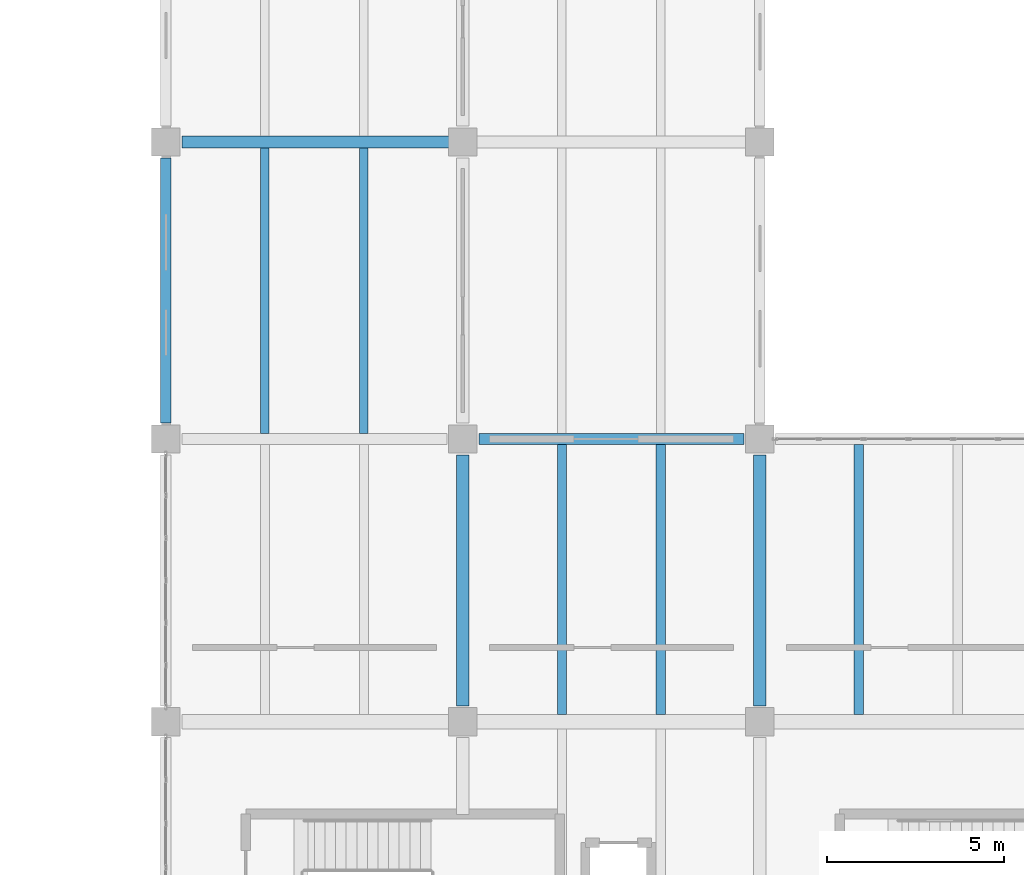
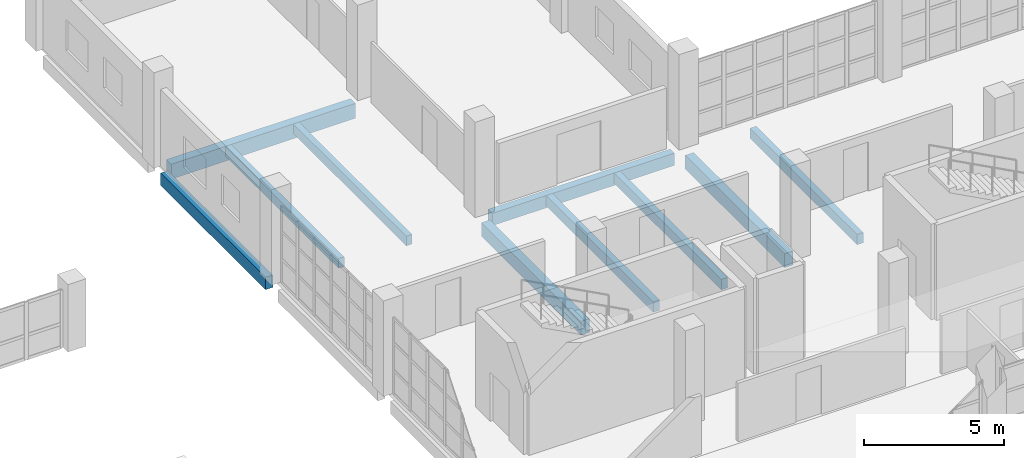
# One storey, part 22 of 177: 10 beams.
"""IFC4 building model written with IfcOpenShell, lengths in metres."""

from ifc_helpers import new_model, si_unit, direction, frame, origin, origin_2d, place, context, subcontext, project, spatial, rectangle, extrude, material, material_profile, profile_set, type_object, element, save


model = new_model("IFC4")

# Units and contexts
model_context = context("Model", 3, precision=1e-05, world=origin(), true_north=direction((0.0, 1.0)))
body_context = subcontext(model_context, "Body", "Model", "MODEL_VIEW")
ifc_project = project(units=[si_unit("LENGTHUNIT", "METRE"), si_unit("AREAUNIT", "SQUARE_METRE"), si_unit("VOLUMEUNIT", "CUBIC_METRE"), si_unit("PLANEANGLEUNIT", "RADIAN"), si_unit("MASSUNIT", "GRAM", prefix="KILO"), si_unit("THERMODYNAMICTEMPERATUREUNIT", "KELVIN"), si_unit("POWERUNIT", "WATT")], contexts=[model_context])

# Site, building, storey
site_placement = place(None, origin())
site = spatial("IfcSite", under=ifc_project, at=site_placement, CompositionType="ELEMENT")
building_placement = place(site_placement, origin())
building = spatial("IfcBuilding", under=site, at=building_placement, Name="Mavoryth Pier Ferry Terminal", CompositionType="ELEMENT")
storey_placement = place(building_placement, frame((0.0, 0.0, 5.43994140625)))
storey = spatial("IfcBuildingStorey", under=building, at=storey_placement, Name="L01", CompositionType="ELEMENT", Elevation=5.43994140625)

# Beams
ifc_material = material(Name="Concrete C35/45", Category="concrete")
ifc_material_profile_1 = material_profile(ifc_material, rectangle(XDim=0.35009765625, YDim=0.60009765625, at=origin_2d()), Name="RC 350x600", Category="concrete")
ifc_profile_set_1 = profile_set([ifc_material_profile_1], Name="Concrete C35/45 - RC 350x600")
beam_type_1 = type_object("IfcBeamType", Name="Girder-RC-350x600", PredefinedType="BEAM", material=ifc_profile_set_1)
for number, where, z_axis, x_axis, name in (
    (1, (50.39990234375, 14.449951171875, -0.56005859375), (0.0, 1.0, 0.0), (-1.0, 0.0, 0.0), "Beam B01-BG08-0539"),
    (2, (58.800048828125, 14.449951171875, -0.56005859375), (0.0, 1.0, 0.0), (-1.0, 0.0, 0.0), "Beam B01-BG08-0542"),
):
    element("IfcBeam", number, at=place(storey_placement, frame(where, z_axis=z_axis, x_axis=x_axis)), inside=storey, type_object=beam_type_1, Name=name, PredefinedType="BEAM", context=body_context, shape_type="SweptSolid", body=[
        extrude(rectangle(XDim=0.35009765625, YDim=0.60009765625, at=origin_2d()), origin(), (0.0, 0.0, 1.0), 7.10009765625),
    ])
ifc_material_profile_2 = material_profile(ifc_material, rectangle(XDim=0.35009765625, YDim=0.64990234375, at=origin_2d()), Name="RC 350x650", Category="concrete")
ifc_profile_set_2 = profile_set([ifc_material_profile_2], Name="Concrete C35/45 - RC 350x650")
beam_type_2 = type_object("IfcBeamType", Name="Girder-RC-350x650", PredefinedType="BEAM", material=ifc_profile_set_2)
beam_placement = place(storey_placement, frame((42.449951171875, 30.39990234375, -0.5849609375), z_axis=(1.0, 0.0, 0.0), x_axis=(0.0, 1.0, 0.0)))
element("IfcBeam", 3, at=beam_placement, inside=storey, type_object=beam_type_2, Name="Beam B01-BG07-0587", PredefinedType="BEAM", context=body_context, shape_type="SweptSolid", body=[
    extrude(rectangle(XDim=0.35009765625, YDim=0.64990234375, at=origin_2d()), origin(), (0.0, 0.0, 1.0), 7.60009765625),
])
ifc_material_profile_3 = material_profile(ifc_material, rectangle(XDim=0.239990234375, YDim=0.419921875, at=origin_2d()), Name="RC 240x420", Category="concrete")
ifc_profile_set_3 = profile_set([ifc_material_profile_3], Name="Concrete C35/45 - RC 240x420")
beam_type_3 = type_object("IfcBeamType", Name="Joist-RC-240x420", PredefinedType="JOIST", material=ifc_profile_set_3)
for number, where, z_axis, x_axis, name in (
    (4, (44.800048828125, 22.14990234375, -0.469970703125), (0.0, 1.0, 0.0), (-1.0, 0.0, 0.0), "Beam B01-BJ04-0596"),
    (5, (47.60009765625, 22.14990234375, -0.469970703125), (0.0, 1.0, 0.0), (-1.0, 0.0, 0.0), "Beam B01-BJ04-0597"),
):
    element("IfcBeam", number, at=place(storey_placement, frame(where, z_axis=z_axis, x_axis=x_axis)), inside=storey, type_object=beam_type_3, Name=name, PredefinedType="JOIST", context=body_context, shape_type="SweptSolid", body=[
        extrude(rectangle(XDim=0.239990234375, YDim=0.419921875, at=origin_2d()), origin(), (0.0, 0.0, 1.0), 8.0751953125),
    ])
ifc_material_profile_4 = material_profile(ifc_material, rectangle(XDim=0.260009765625, YDim=0.449951171875, at=origin_2d()), Name="RC 260x450", Category="concrete")
ifc_profile_set_4 = profile_set([ifc_material_profile_4], Name="Concrete C35/45 - RC 260x450")
beam_type_4 = type_object("IfcBeamType", Name="Joist-RC-260x450", PredefinedType="JOIST", material=ifc_profile_set_4)
for number, where, z_axis, x_axis, name in (
    (6, (53.199951171875, 14.199951171875, -0.48486328125), (0.0, 1.0, 0.0), (-1.0, 0.0, 0.0), "Beam B01-BJ03-0563"),
    (7, (56.0, 14.199951171875, -0.48486328125), (0.0, 1.0, 0.0), (-1.0, 0.0, 0.0), "Beam B01-BJ03-0564"),
    (8, (61.60009765625, 14.199951171875, -0.48486328125), (0.0, 1.0, 0.0), (-1.0, 0.0, 0.0), "Beam B01-BJ03-0567"),
):
    element("IfcBeam", number, at=place(storey_placement, frame(where, z_axis=z_axis, x_axis=x_axis)), inside=storey, type_object=beam_type_4, Name=name, PredefinedType="JOIST", context=body_context, shape_type="SweptSolid", body=[
        extrude(rectangle(XDim=0.260009765625, YDim=0.449951171875, at=origin_2d()), origin(), (0.0, 0.0, 1.0), 7.650146484375),
    ])
ifc_material_profile_5 = material_profile(ifc_material, rectangle(XDim=0.300048828125, YDim=0.5400390625, at=origin_2d()), Name="RC 300x540", Category="concrete")
ifc_profile_set_5 = profile_set([ifc_material_profile_5], Name="Concrete C35/45 - RC 300x540")
beam_type_5 = type_object("IfcBeamType", Name="Spandrel-RC-300x540", PredefinedType="SPANDREL", material=ifc_profile_set_5)
for number, where, z_axis, x_axis, name in (
    (9, (50.85009765625, 22.0, -0.530029296875), (1.0, 0.0, 0.0), (0.0, 1.0, 0.0), "Beam B01-SP02-0529"),
    (10, (42.0, 22.449951171875, -0.530029296875), (0.0, 1.0, 0.0), (-1.0, 0.0, 0.0), "Beam B01-SP02-0590"),
):
    element("IfcBeam", number, at=place(storey_placement, frame(where, z_axis=z_axis, x_axis=x_axis)), inside=storey, type_object=beam_type_5, Name=name, PredefinedType="SPANDREL", context=body_context, shape_type="SweptSolid", body=[
        extrude(rectangle(XDim=0.300048828125, YDim=0.5400390625, at=origin_2d()), origin(), (0.0, 0.0, 1.0), 7.5),
    ])

save(model, "model.ifc")
